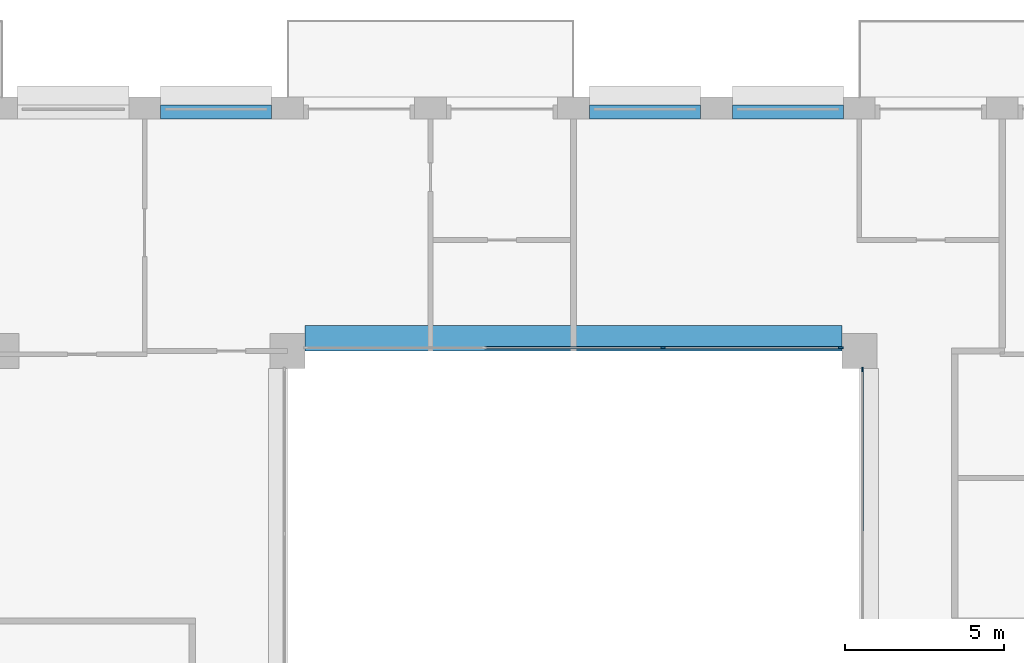
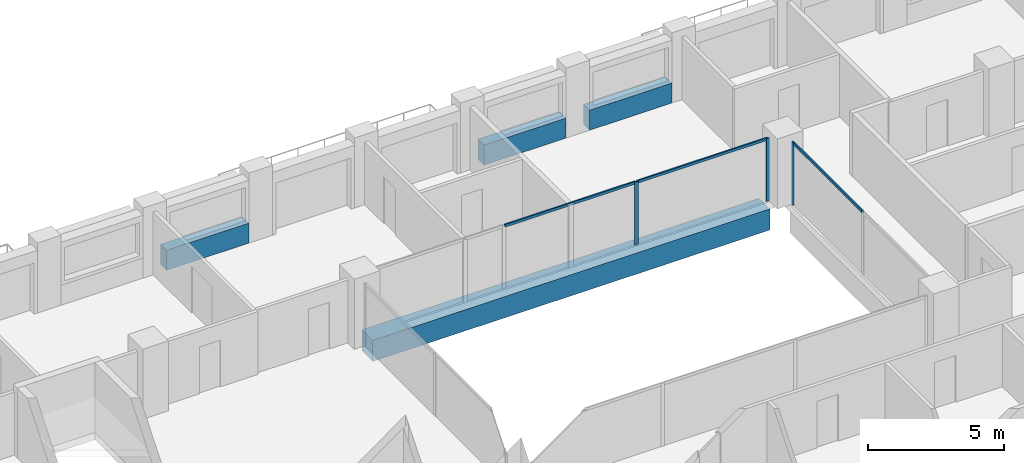
# One storey, part 6 of 16: 6 members, 4 beams, 2 elements without a shape of their own.
"""IFC4 building model written with IfcOpenShell, lengths in metres."""

import ifcopenshell
import ifcopenshell.guid

model = None  # the IFC model being written
_history = None  # IfcOwnerHistory: only IFC2X3 demands one
_inside = {}  # id of a spatial element -> (the spatial element, [elements in it])
_under = {}  # id of a project, library or spatial element -> (it, [spatial elements below it])
_declared = {}  # id of a project -> (the project, [libraries it declares])
_typed = {}  # id of a type object -> (the type object, [elements of that type])
_made_of = {}  # id of a material, layer set ... -> (it, [elements and type objects made of it])


def new_model(schema):
    """Start an empty IFC model of exactly this schema.

    Asked for "IFC4X3", IfcOpenShell would pick the latest addendum, in which some entities
    have other attributes; the version numbers below select the first issue.
    IFC2X3 requires an IfcOwnerHistory on every rooted entity: one is made here for all.
    """
    global model, _history
    if schema == "IFC4X3":
        model = ifcopenshell.file(schema_version=(4, 3, 0, 0))
    else:
        model = ifcopenshell.file(schema=schema)
    _inside.clear()
    _under.clear()
    _declared.clear()
    _typed.clear()
    _made_of.clear()
    _history = None
    if model.schema == "IFC2X3":
        org = make("IfcOrganization", Name="unknown")
        user = make(
            "IfcPersonAndOrganization",
            ThePerson=make("IfcPerson", FamilyName="unknown"),
            TheOrganization=org,
        )
        app = make(
            "IfcApplication",
            ApplicationDeveloper=org,
            Version="unknown",
            ApplicationFullName="unknown",
            ApplicationIdentifier="unknown",
        )
        _history = make(
            "IfcOwnerHistory",
            OwningUser=user,
            OwningApplication=app,
            ChangeAction="ADDED",
            CreationDate=0,
        )
    return model


def make(cls, **values):
    """One entity of the class cls with the attributes given. An attribute that is None is left unset."""
    return model.create_entity(
        cls, **{name: value for name, value in values.items() if value is not None}
    )


def rooted(cls, **values):
    """An entity with a GlobalId (a new one), such as an element, a storey or a relation."""
    return make(cls, GlobalId=ifcopenshell.guid.new(), OwnerHistory=_history, **values)


def si_unit(unit_type, name, prefix=None):
    """IfcSIUnit, for example si_unit("LENGTHUNIT", "METRE", prefix="MILLI")."""
    return make("IfcSIUnit", UnitType=unit_type, Prefix=prefix, Name=name)


def assignment(units):
    """IfcUnitAssignment: the units of a project."""
    return None if units is None else make("IfcUnitAssignment", Units=units)


def point(xyz):
    """IfcCartesianPoint."""
    return None if xyz is None else make("IfcCartesianPoint", Coordinates=xyz)


def direction(xyz):
    """IfcDirection."""
    return None if xyz is None else make("IfcDirection", DirectionRatios=xyz)


def frame(location, z_axis=None, x_axis=None):
    """IfcAxis2Placement3D, a coordinate frame: its origin and axes. An axis left out is left unset."""
    return make(
        "IfcAxis2Placement3D",
        Location=point(location),
        Axis=direction(z_axis),
        RefDirection=direction(x_axis),
    )


def frame_2d(location, x_axis=None):
    """IfcAxis2Placement2D, a coordinate frame in the plane: its origin and x axis."""
    return make(
        "IfcAxis2Placement2D", Location=point(location), RefDirection=direction(x_axis)
    )


def origin():
    """The frame at (0, 0, 0) with its axes left unset."""
    return frame((0.0, 0.0, 0.0))


def origin_2d():
    """The frame at (0, 0) in the plane with its x axis left unset."""
    return frame_2d((0.0, 0.0))


def place(relative_to, where):
    """IfcLocalPlacement: puts the frame where relative to a parent placement (None: the world)."""
    return make(
        "IfcLocalPlacement", PlacementRelTo=relative_to, RelativePlacement=where
    )


def context(
    kind, dimensions, precision=None, world=None, true_north=None, identifier=None
):
    """IfcGeometricRepresentationContext, for example the 3D "Model" context."""
    return make(
        "IfcGeometricRepresentationContext",
        ContextIdentifier=identifier,
        ContextType=kind,
        CoordinateSpaceDimension=dimensions,
        Precision=precision,
        WorldCoordinateSystem=world,
        TrueNorth=true_north,
    )


def subcontext(parent, identifier, kind, view, scale=None):
    """IfcGeometricRepresentationSubContext, for example "Body" below "Model"."""
    return make(
        "IfcGeometricRepresentationSubContext",
        ContextIdentifier=identifier,
        ContextType=kind,
        ParentContext=parent,
        TargetScale=scale,
        TargetView=view,
    )


def project(units=None, contexts=None):
    """IfcProject with its units and contexts."""
    return rooted(
        "IfcProject",
        Name="project",
        RepresentationContexts=contexts,
        UnitsInContext=assignment(units),
    )


def spatial(cls, under=None, at=None, **own):
    """A site, building, storey or space (cls), placed at a placement, below another one or the project."""
    s = rooted(cls, ObjectPlacement=at, **own)
    if under is not None:
        _under.setdefault(under.id(), (under, []))[1].append(s)
    return s


def profile(cls, at=None, kind="AREA", **sizes):
    """A parametric profile (cls). Its sizes go by their IFC names, for example OverallWidth=200.0."""
    return make(cls, ProfileType=kind, Position=at, **sizes)


def rectangle(**sizes):
    """IfcRectangleProfileDef."""
    return profile("IfcRectangleProfileDef", **sizes)


def extrude(swept, where, along, depth):
    """IfcExtrudedAreaSolid: the profile swept, set in the frame where, extruded along a direction by depth."""
    return make(
        "IfcExtrudedAreaSolid",
        SweptArea=swept,
        Position=where,
        ExtrudedDirection=direction(along),
        Depth=depth,
    )


def shape(context_of_items, identifier, shape_type, items):
    """IfcShapeRepresentation: the items that make up one representation, for example the "Body"."""
    return make(
        "IfcShapeRepresentation",
        ContextOfItems=context_of_items,
        RepresentationIdentifier=identifier,
        RepresentationType=shape_type,
        Items=items,
    )


def material(Name=None, Category=None):
    """IfcMaterial."""
    return make("IfcMaterial", Name=Name, Category=Category)


def layer(
    of_material, thickness, ventilated=None, Name=None, Category=None, Priority=None
):
    """IfcMaterialLayer: one layer of a wall or slab, of a material (None: an air gap)."""
    return make(
        "IfcMaterialLayer",
        Material=of_material,
        LayerThickness=thickness,
        IsVentilated=ventilated,
        Name=Name,
        Category=Category,
        Priority=Priority,
    )


def layer_set(layers, Name=None):
    """IfcMaterialLayerSet."""
    return make("IfcMaterialLayerSet", MaterialLayers=layers, LayerSetName=Name)


def material_profile(
    of_material, cross_section, Name=None, Category=None, Priority=None
):
    """IfcMaterialProfile: a cross section and its material."""
    return make(
        "IfcMaterialProfile",
        Name=Name,
        Material=of_material,
        Profile=cross_section,
        Priority=Priority,
        Category=Category,
    )


def profile_set(profiles, Name=None, composite=None):
    """IfcMaterialProfileSet."""
    return make(
        "IfcMaterialProfileSet",
        Name=Name,
        MaterialProfiles=profiles,
        CompositeProfile=composite,
    )


def made_of(thing, what):
    """Note that an element or type object is made of a material, layer set ...; save() writes the relation."""
    if what is not None:
        _made_of.setdefault(what.id(), (what, []))[1].append(thing)
    return thing


def type_object(cls, material=None, **own):
    """A type object (cls), such as IfcWallType, which elements share."""
    return made_of(rooted(cls, **own), material)


def element(
    cls,
    number,
    at=None,
    inside=None,
    cuts=None,
    type_object=None,
    material=None,
    context=None,
    identifier="Body",
    shape_type=None,
    held_by="IfcProductDefinitionShape",
    body=None,
    shapes=None,
    **own,
):
    """One element of the class cls, such as IfcWall. Its Tag is "e" and its number.

    at: its placement. inside: the storey or other place that contains it. cuts: it is an
    opening in that element (IfcRelVoidsElement). A single representation is given by context,
    identifier, shape_type and body (its items); several are given by shapes. held_by: the class
    of the entity that holds the representations. save() writes the other relations.
    """
    e = rooted(cls, Tag="e%d" % number, ObjectPlacement=at, **own)
    if body is not None:
        shapes = [shape(context, identifier, shape_type, body)]
    if shapes is not None:
        e.Representation = make(held_by, Representations=shapes)
    if inside is not None:
        _inside.setdefault(inside.id(), (inside, []))[1].append(e)
    if cuts is not None:
        rooted(
            "IfcRelVoidsElement", RelatingBuildingElement=cuts, RelatedOpeningElement=e
        )
    if type_object is not None:
        _typed.setdefault(type_object.id(), (type_object, []))[1].append(e)
    return made_of(e, material)


def aggregate(whole, parts):
    """IfcRelAggregates: a whole, such as a stair, and the parts it consists of."""
    return rooted("IfcRelAggregates", RelatingObject=whole, RelatedObjects=parts)


def save(model, path):
    """Write the relations noted so far, then the file.

    IfcRelAggregates (storeys below a building ...), IfcRelContainedInSpatialStructure (elements
    in a storey), IfcRelDefinesByType, IfcRelAssociatesMaterial and IfcRelDeclares: one each for
    every whole, place, type object, material and project.
    """
    for whole, parts in _under.values():
        aggregate(whole, parts)
    for where, things in _inside.values():
        rooted(
            "IfcRelContainedInSpatialStructure",
            RelatedElements=things,
            RelatingStructure=where,
        )
    for kind, things in _typed.values():
        rooted("IfcRelDefinesByType", RelatedObjects=things, RelatingType=kind)
    for what, things in _made_of.values():
        rooted("IfcRelAssociatesMaterial", RelatedObjects=things, RelatingMaterial=what)
    for by, libraries in _declared.values():
        rooted("IfcRelDeclares", RelatingContext=by, RelatedDefinitions=libraries)
    model.write(path)


model = new_model("IFC4")

# Units and contexts
model_context = context("Model", 3, precision=1e-05, world=origin(), true_north=direction((0.0, 1.0)))
body_context = subcontext(model_context, "Body", "Model", "MODEL_VIEW")
ifc_project = project(units=[si_unit("LENGTHUNIT", "METRE"), si_unit("AREAUNIT", "SQUARE_METRE"), si_unit("VOLUMEUNIT", "CUBIC_METRE"), si_unit("PLANEANGLEUNIT", "RADIAN"), si_unit("MASSUNIT", "GRAM", prefix="KILO")], contexts=[model_context])

# Site, building, storey
site_placement = place(None, origin())
site = spatial("IfcSite", under=ifc_project, at=site_placement, CompositionType="ELEMENT")
building_placement = place(site_placement, origin())
building = spatial("IfcBuilding", under=site, at=building_placement, Name="Brigalow Station Residences", CompositionType="ELEMENT")
storey_placement = place(building_placement, frame((0.0, 0.0, 169.64990234375)))
storey = spatial("IfcBuildingStorey", under=building, at=storey_placement, Name="L49", CompositionType="ELEMENT", Elevation=169.64990234375)

# Beam
ifc_material_1 = material(Name="Concrete C65", Category="concrete")
ifc_material_profile_1 = material_profile(ifc_material_1, rectangle(XDim=0.800048828125, YDim=0.949951171875, at=origin_2d()), Name="RC800x950")
ifc_profile_set_1 = profile_set([ifc_material_profile_1], Name="Concrete C65")
beam_type_1 = type_object("IfcBeamType", Name="ATRIUM EDGE GIRDER OVER 13.5 M SPAN 800x950 C65", PredefinedType="BEAM", material=ifc_profile_set_1)
beam_placement = place(storey_placement, frame((27.550048828125, 35.89990234375, -0.794921875), z_axis=(1.0, 0.0, 0.0), x_axis=(0.0, 1.0, 0.0)))
element("IfcBeam", 1, at=beam_placement, inside=storey, type_object=beam_type_1, Name="ATRIUM EDGE GIRDER D L49", PredefinedType="BEAM", context=body_context, shape_type="SweptSolid", body=[
    extrude(rectangle(XDim=0.800048828125, YDim=0.949951171875, at=origin_2d()), origin(), (0.0, 0.0, 1.0), 16.89990234375),
])

# Curtain wall, member
ifc_material_2 = material(Name="Aluminium", Category="aluminium")
ifc_layer = layer(ifc_material_2, 0.14990234375)
ifc_layer_set = layer_set([ifc_layer], Name="ATRIUM FIRE-RATED GLAZING CURTAIN WALL")
curtain_wall_type = type_object("IfcCurtainWallType", Name="ATRIUM FIRE-RATED GLAZING CURTAIN WALL", PredefinedType="NOTDEFINED", material=ifc_layer_set)
curtain_wall_1_placement = place(storey_placement, origin())
curtain_wall_1 = element("IfcCurtainWall", 2, at=curtain_wall_1_placement, inside=storey, type_object=curtain_wall_type, Name="L49/cw/atrium-E", PredefinedType="NOTDEFINED")
ifc_material_3 = material(Name="Aluminium", Category="aluminium")
ifc_material_profile_2 = material_profile(ifc_material_3, rectangle(XDim=0.06005859375, YDim=0.14990234375, at=origin_2d()), Name="ATRIUM FIRE-RATED GLAZING MULLION 60x150")
ifc_profile_set_2 = profile_set([ifc_material_profile_2], Name="Aluminium")
member_type_1 = type_object("IfcMemberType", Name="ATRIUM FIRE-RATED GLAZING MULLION 60x150", PredefinedType="MULLION", material=ifc_profile_set_2)
member_1_placement = place(storey_placement, frame((45.10009765625, 34.919921875, 0.0), z_axis=(0.0, 0.0, 1.0), x_axis=(-1.0, 0.0, 0.0)))
member_1 = element("IfcMember", 3, at=member_1_placement, type_object=member_type_1, Name="L49/cw/atrium-E/M02", PredefinedType="MULLION", context=body_context, shape_type="SweptSolid", body=[
    extrude(rectangle(XDim=0.06005859375, YDim=0.14990234375, at=origin_2d()), origin(), (0.0, 0.0, 1.0), 2.830078125),
])

# Curtain wall, members
curtain_wall_2_placement = place(storey_placement, origin())
curtain_wall_2 = element("IfcCurtainWall", 4, at=curtain_wall_2_placement, inside=storey, type_object=curtain_wall_type, Name="L49/cw/atrium-N", PredefinedType="NOTDEFINED")
member_2_placement = place(storey_placement, frame((44.419921875, 35.60009765625, 0.0), z_axis=(0.0, 0.0, 1.0), x_axis=(0.0, -1.0, 0.0)))
member_2 = element("IfcMember", 5, at=member_2_placement, type_object=member_type_1, Name="L49/cw/atrium-N/M00", PredefinedType="MULLION", context=body_context, shape_type="SweptSolid", body=[
    extrude(rectangle(XDim=0.06005859375, YDim=0.14990234375, at=origin_2d()), origin(), (0.0, 0.0, 1.0), 2.830078125),
])
member_3_placement = place(storey_placement, frame((38.816650390625, 35.60009765625, 0.0), z_axis=(0.0, 0.0, 1.0), x_axis=(0.0, -1.0, 0.0)))
member_3 = element("IfcMember", 6, at=member_3_placement, type_object=member_type_1, Name="L49/cw/atrium-N/M01", PredefinedType="MULLION", context=body_context, shape_type="SweptSolid", body=[
    extrude(rectangle(XDim=0.06005859375, YDim=0.14990234375, at=origin_2d()), origin(), (0.0, 0.0, 1.0), 2.830078125),
])

# Member
ifc_material_4 = material(Name="Aluminium", Category="aluminium")
ifc_material_profile_3 = material_profile(ifc_material_4, rectangle(XDim=0.06005859375, YDim=0.1201171875, at=origin_2d()), Name="ATRIUM FIRE-RATED GLAZING TRANSOM 60x120")
ifc_profile_set_3 = profile_set([ifc_material_profile_3], Name="Aluminium")
member_type_2 = type_object("IfcMemberType", Name="ATRIUM FIRE-RATED GLAZING TRANSOM 60x120", PredefinedType="USERDEFINED", material=ifc_profile_set_3)
member_4_placement = place(storey_placement, frame((45.10009765625, 29.780029296875, 2.800048828125), z_axis=(0.0, 1.0, 0.0), x_axis=(-1.0, 0.0, 0.0)))
member_4 = element("IfcMember", 7, at=member_4_placement, type_object=member_type_2, Name="L49/cw/atrium-E/T01-00", ObjectType="TRANSOM", PredefinedType="USERDEFINED", context=body_context, shape_type="SweptSolid", body=[
    extrude(rectangle(XDim=0.06005859375, YDim=0.1201171875, at=origin_2d()), origin(), (0.0, 0.0, 1.0), 5.10986328125),
])

aggregate(curtain_wall_1, [member_1, member_4])

member_5_placement = place(storey_placement, frame((44.389892578125, 35.60009765625, 2.800048828125), z_axis=(-1.0, 0.0, 0.0), x_axis=(0.0, -1.0, 0.0)))
member_5 = element("IfcMember", 8, at=member_5_placement, type_object=member_type_2, Name="L49/cw/atrium-N/T00-00", ObjectType="TRANSOM", PredefinedType="USERDEFINED", context=body_context, shape_type="SweptSolid", body=[
    extrude(rectangle(XDim=0.06005859375, YDim=0.1201171875, at=origin_2d()), origin(), (0.0, 0.0, 1.0), 5.543212890625),
])

member_6_placement = place(storey_placement, frame((38.78662109375, 35.60009765625, 2.800048828125), z_axis=(-1.0, 0.0, 0.0), x_axis=(0.0, -1.0, 0.0)))
member_6 = element("IfcMember", 9, at=member_6_placement, type_object=member_type_2, Name="L49/cw/atrium-N/T01-00", ObjectType="TRANSOM", PredefinedType="USERDEFINED", context=body_context, shape_type="SweptSolid", body=[
    extrude(rectangle(XDim=0.06005859375, YDim=0.1201171875, at=origin_2d()), origin(), (0.0, 0.0, 1.0), 5.5732421875),
])

aggregate(curtain_wall_2, [member_2, member_3, member_5, member_6])

# Beams
ifc_material_5 = material(Name="Concrete C50", Category="concrete")
ifc_material_profile_4 = material_profile(ifc_material_5, rectangle(XDim=0.449951171875, YDim=0.89990234375, at=origin_2d()), Name="RC450x900")
ifc_profile_set_4 = profile_set([ifc_material_profile_4], Name="Concrete C50")
beam_type_2 = type_object("IfcBeamType", Name="SPANDREL BEAM 450x900 C50", PredefinedType="SPANDREL", material=ifc_profile_set_4)
for number, where, z_axis, x_axis, name in (
    (10, (44.5, 43.02490234375, 0.4501953125), (-1.0, 0.0, 0.0), (0.0, -1.0, 0.0), "L49/spandrel/W-L49-27"),
    (11, (40.0, 43.02490234375, 0.4501953125), (-1.0, 0.0, 0.0), (0.0, -1.0, 0.0), "L49/spandrel/W-L49-28"),
    (12, (26.5, 43.02490234375, 0.4501953125), (-1.0, 0.0, 0.0), (0.0, -1.0, 0.0), "L49/spandrel/W-L49-31"),
):
    element("IfcBeam", number, at=place(storey_placement, frame(where, z_axis=z_axis, x_axis=x_axis)), inside=storey, type_object=beam_type_2, Name=name, PredefinedType="SPANDREL", context=body_context, shape_type="SweptSolid", body=[
        extrude(rectangle(XDim=0.449951171875, YDim=0.89990234375, at=origin_2d()), origin(), (0.0, 0.0, 1.0), 3.5),
    ])

save(model, "model.ifc")
